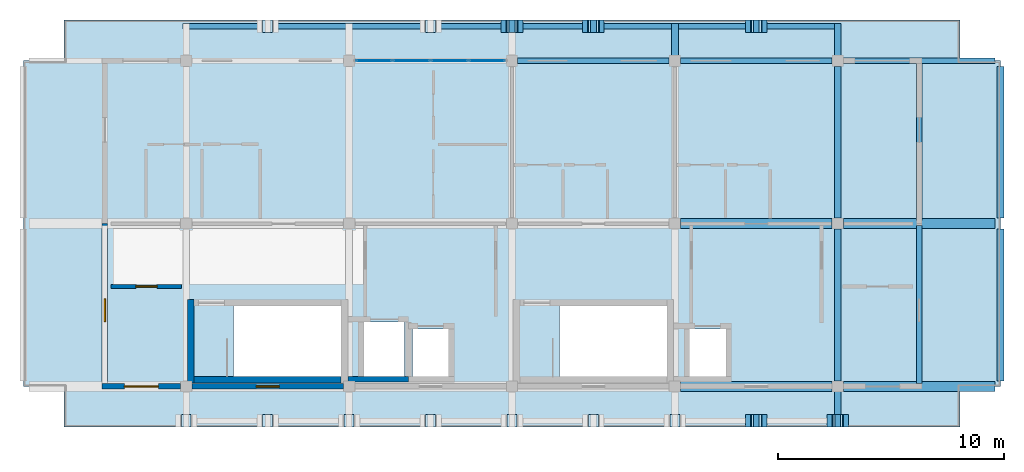
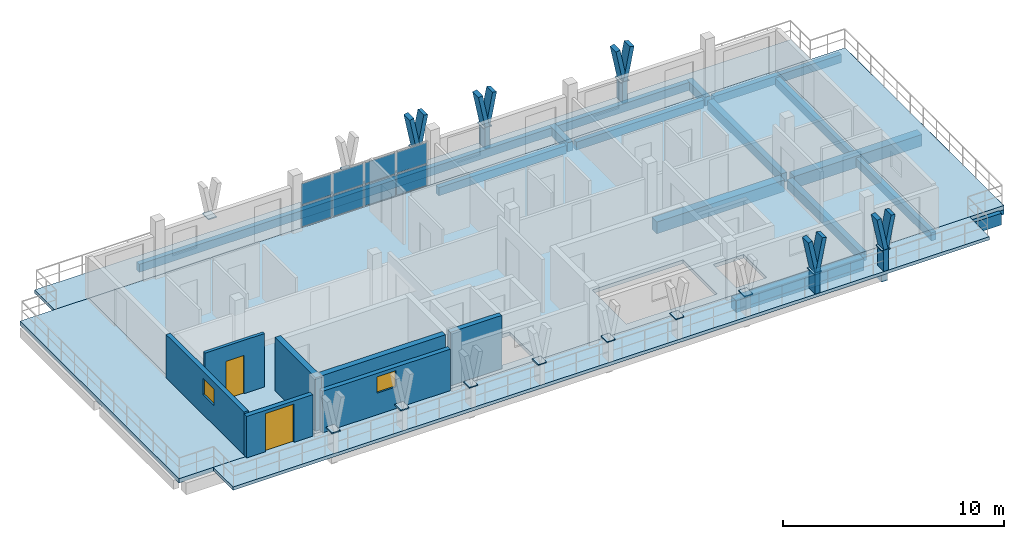
# One storey, part 3 of 7: 22 plates, 17 beams, 15 members, 7 walls, 5 slabs, 2 doors, 2 windows, 4 openings, 1 element without a shape of its own.
"""IFC4 building model written with IfcOpenShell, lengths in metres."""

from ifc_helpers import new_model, si_unit, direction, frame, frame_2d, origin, origin_2d, place, context, subcontext, project, spatial, polyline, rectangle, outline, extrude, material, layer, layer_set, material_profile, profile_set, type_object, element, fill, aggregate, save


model = new_model("IFC4")

# Units and contexts
model_context = context("Model", 3, precision=1e-05, world=origin(), true_north=direction((0.0, 1.0)))
body_context = subcontext(model_context, "Body", "Model", "MODEL_VIEW")
ifc_project = project(units=[si_unit("LENGTHUNIT", "METRE"), si_unit("AREAUNIT", "SQUARE_METRE"), si_unit("VOLUMEUNIT", "CUBIC_METRE"), si_unit("PLANEANGLEUNIT", "RADIAN"), si_unit("MASSUNIT", "GRAM", prefix="KILO")], contexts=[model_context])

# Site, building, storey
site_placement = place(None, origin())
site = spatial("IfcSite", under=ifc_project, at=site_placement, CompositionType="ELEMENT")
building_placement = place(site_placement, origin())
building = spatial("IfcBuilding", under=site, at=building_placement, Name="Suanplinth Sawtooth Commons", CompositionType="ELEMENT")
storey_placement = place(building_placement, frame((0.0, 0.0, 50.89990234375)))
storey = spatial("IfcBuildingStorey", under=building, at=storey_placement, Name="L15", CompositionType="ELEMENT", Elevation=50.89990234375)

# Beams
ifc_material_1 = material(Name="Precast concrete C40/50", Category="concrete")
ifc_material_profile_1 = material_profile(ifc_material_1, rectangle(XDim=0.449951171875, YDim=0.64990234375, at=origin_2d()), Name="PC-GDR 450x650")
ifc_profile_set_1 = profile_set([ifc_material_profile_1], Name="Precast concrete C40/50")
beam_type_1 = type_object("IfcBeamType", Name="B-04", PredefinedType="USERDEFINED", material=ifc_profile_set_1)
for number, where, z_axis, x_axis, name in (
    (1, (65.050048828125, 108.0, -0.52490234375), (1.0, 0.0, 0.0), (0.0, 1.0, 0.0), "BMX-L15-A-9-15"),
    (2, (65.050048828125, 115.199951171875, -0.52490234375), (1.0, 0.0, 0.0), (0.0, 1.0, 0.0), "BMX-L15-A-9-16"),
    (3, (72.25, 108.0, -0.52490234375), (1.0, 0.0, 0.0), (0.0, 1.0, 0.0), "BMX-L15-A-10-15"),
    (4, (72.25, 115.199951171875, -0.52490234375), (1.0, 0.0, 0.0), (0.0, 1.0, 0.0), "BMX-L15-A-10-16"),
):
    element("IfcBeam", number, at=place(storey_placement, frame(where, z_axis=z_axis, x_axis=x_axis)), inside=storey, type_object=beam_type_1, Name=name, ObjectType="GIRDER", PredefinedType="USERDEFINED", context=body_context, shape_type="SweptSolid", body=[
        extrude(rectangle(XDim=0.449951171875, YDim=0.64990234375, at=origin_2d()), origin(), (0.0, 0.0, 1.0), 6.699951171875),
    ])
ifc_material_profile_2 = material_profile(ifc_material_1, rectangle(XDim=0.300048828125, YDim=0.5, at=origin_2d()), Name="PC-BM 300x500")
ifc_profile_set_2 = profile_set([ifc_material_profile_2], Name="Precast concrete C40/50")
beam_type_2 = type_object("IfcBeamType", Name="B-07", PredefinedType="BEAM", material=ifc_profile_set_2)
for number, where, z_axis, x_axis, name in (
    (5, (72.0, 108.25, -0.449951171875), (0.0, 1.0, 0.0), (-1.0, 0.0, 0.0), "BMY-L15-A-10-15"),
    (6, (72.0, 115.449951171875, -0.449951171875), (0.0, 1.0, 0.0), (-1.0, 0.0, 0.0), "BMY-L15-A-10-16"),
    (7, (79.199951171875, 108.25, -0.449951171875), (0.0, 1.0, 0.0), (-1.0, 0.0, 0.0), "BMY-L15-A-11-15"),
    (8, (79.199951171875, 115.449951171875, -0.449951171875), (0.0, 1.0, 0.0), (-1.0, 0.0, 0.0), "BMY-L15-A-11-16"),
):
    element("IfcBeam", number, at=place(storey_placement, frame(where, z_axis=z_axis, x_axis=x_axis)), inside=storey, type_object=beam_type_2, Name=name, PredefinedType="BEAM", context=body_context, shape_type="SweptSolid", body=[
        extrude(rectangle(XDim=0.300048828125, YDim=0.5, at=origin_2d()), origin(), (0.0, 0.0, 1.0), 6.699951171875),
    ])
for number, where, z_axis, x_axis, name in (
    (9, (64.800048828125, 122.39990234375, -0.429931640625), (0.0, 1.0, 0.0), (-1.0, 0.0, 0.0), "Balcony Outrigger L15-A-N-9"),
    (10, (72.0, 122.39990234375, -0.429931640625), (0.0, 1.0, 0.0), (-1.0, 0.0, 0.0), "Balcony Outrigger L15-A-N-10"),
):
    element("IfcBeam", number, at=place(storey_placement, frame(where, z_axis=z_axis, x_axis=x_axis)), inside=storey, type_object=beam_type_2, Name=name, PredefinedType="BEAM", context=body_context, shape_type="SweptSolid", body=[
        extrude(rectangle(XDim=0.300048828125, YDim=0.5, at=origin_2d()), origin(), (0.0, 0.0, 1.0), 1.64013671875),
    ])
beam_1_placement = place(storey_placement, frame((72.0, 108.0, -0.429931640625), z_axis=(0.0, -1.0, 0.0), x_axis=(1.0, 0.0, 0.0)))
element("IfcBeam", 11, at=beam_1_placement, inside=storey, type_object=beam_type_2, Name="Balcony Outrigger L15-A-S-10", PredefinedType="BEAM", context=body_context, shape_type="SweptSolid", body=[
    extrude(rectangle(XDim=0.300048828125, YDim=0.5, at=origin_2d()), origin(), (0.0, 0.0, 1.0), 1.639892578125),
])
ifc_material_profile_3 = material_profile(ifc_material_1, rectangle(XDim=0.25, YDim=0.449951171875, at=origin_2d()), Name="PC-SP 250x450")
ifc_profile_set_3 = profile_set([ifc_material_profile_3], Name="Precast concrete C40/50")
beam_type_3 = type_object("IfcBeamType", Name="B-09", PredefinedType="SPANDREL", material=ifc_profile_set_3)
for number, where, z_axis, x_axis, name in (
    (12, (57.85009765625, 122.39990234375, -0.4248046875), (1.0, 0.0, 0.0), (0.0, 1.0, 0.0), "BMX-L15-A-8-17"),
    (13, (65.050048828125, 122.39990234375, -0.4248046875), (1.0, 0.0, 0.0), (0.0, 1.0, 0.0), "BMX-L15-A-9-17"),
    (14, (72.25, 122.39990234375, -0.4248046875), (1.0, 0.0, 0.0), (0.0, 1.0, 0.0), "BMX-L15-A-10-17"),
):
    element("IfcBeam", number, at=place(storey_placement, frame(where, z_axis=z_axis, x_axis=x_axis)), inside=storey, type_object=beam_type_3, Name=name, PredefinedType="SPANDREL", context=body_context, shape_type="SweptSolid", body=[
        extrude(rectangle(XDim=0.25, YDim=0.449951171875, at=origin_2d()), origin(), (0.0, 0.0, 1.0), 6.699951171875),
    ])
beam_2_placement = place(storey_placement, frame((75.60009765625, 108.139892578125, -0.52490234375), z_axis=(0.0, 1.0, 0.0), x_axis=(-1.0, 0.0, 0.0)))
element("IfcBeam", 15, at=beam_2_placement, inside=storey, type_object=beam_type_3, Name="BMY-L15-A-STEP-756-15", PredefinedType="SPANDREL", context=body_context, shape_type="SweptSolid", body=[
    extrude(rectangle(XDim=0.25, YDim=0.449951171875, at=origin_2d()), origin(), (0.0, 0.0, 1.0), 6.980224609375),
])
beam_3_placement = place(storey_placement, frame((75.60009765625, 115.340087890625, -0.52490234375), z_axis=(0.0, 1.0, 0.0), x_axis=(-1.0, 0.0, 0.0)))
element("IfcBeam", 16, at=beam_3_placement, inside=storey, type_object=beam_type_3, Name="BMY-L15-A-STEP-756-16", PredefinedType="SPANDREL", context=body_context, shape_type="SweptSolid", body=[
    extrude(rectangle(XDim=0.25, YDim=0.449951171875, at=origin_2d()), origin(), (0.0, 0.0, 1.0), 6.97998046875),
])
beam_4_placement = place(storey_placement, frame((43.050048828125, 123.919921875, -0.40478515625), z_axis=(1.0, 0.0, 0.0), x_axis=(0.0, 1.0, 0.0)))
element("IfcBeam", 17, at=beam_4_placement, inside=storey, type_object=beam_type_3, Name="Balcony Edge Fascia L15-A-N", PredefinedType="SPANDREL", context=body_context, shape_type="SweptSolid", body=[
    extrude(rectangle(XDim=0.25, YDim=0.449951171875, at=origin_2d()), origin(), (0.0, 0.0, 1.0), 29.099853515625),
])

# Members
ifc_material_2 = material(Name="Pigmented precast concrete C40/50", Category="concrete")
ifc_material_profile_4 = material_profile(ifc_material_2, rectangle(XDim=0.260009765625, YDim=0.550048828125, at=origin_2d()), Name="PC-FIN 260x550")
ifc_profile_set_4 = profile_set([ifc_material_profile_4], Name="Pigmented precast concrete C40/50")
member_type_1 = type_object("IfcMemberType", Name="M-09", PredefinedType="USERDEFINED", material=ifc_profile_set_4)
for number, where, z_axis, x_axis, name in (
    (18, (57.60009765625, 123.919921875, 0.0), (0.0, 0.0, 1.0), (1.0, 0.0, 0.0), "Y-Blade Stem L15-A-N-03"),
    (19, (61.199951171875, 123.919921875, 0.0), (0.0, 0.0, 1.0), (1.0, 0.0, 0.0), "Y-Blade Stem L15-A-N-04"),
    (20, (68.39990234375, 123.919921875, 0.0), (0.0, 0.0, 1.0), (1.0, 0.0, 0.0), "Y-Blade Stem L15-A-N-05"),
    (21, (68.39990234375, 106.47998046875, 0.0), (0.0, 0.0, 1.0), (1.0, 0.0, 0.0), "Y-Blade Stem L15-A-S-13"),
    (22, (72.0, 106.47998046875, 0.0), (0.0, 0.0, 1.0), (1.0, 0.0, 0.0), "Y-Blade Stem L15-A-S-14"),
):
    element("IfcMember", number, at=place(storey_placement, frame(where, z_axis=z_axis, x_axis=x_axis)), inside=storey, type_object=member_type_1, Name=name, ObjectType="SHADING FIN", PredefinedType="USERDEFINED", context=body_context, shape_type="SweptSolid", body=[
        extrude(rectangle(XDim=0.260009765625, YDim=0.550048828125, at=origin_2d()), origin(), (0.0, 0.0, 1.0), 1.170166015625),
    ])
ifc_material_profile_5 = material_profile(ifc_material_2, rectangle(XDim=0.219970703125, YDim=0.550048828125, at=origin_2d()), Name="PC-FIN 220x550")
ifc_profile_set_5 = profile_set([ifc_material_profile_5], Name="Pigmented precast concrete C40/50")
member_type_2 = type_object("IfcMemberType", Name="M-10", PredefinedType="USERDEFINED", material=ifc_profile_set_5)
member_1_placement = place(storey_placement, frame((57.60009765625, 123.919921875, 1.130126953125), z_axis=(-0.196316280189, 0.0, 0.980540625437), x_axis=(0.980540625437, 0.0, 0.196316280189)))
element("IfcMember", 23, at=member_1_placement, inside=storey, type_object=member_type_2, Name="Y-Blade Arm L L15-A-N-03", ObjectType="SHADING FIN", PredefinedType="USERDEFINED", context=body_context, shape_type="SweptSolid", body=[
    extrude(rectangle(XDim=0.219970703125, YDim=0.550048828125, at=origin_2d()), origin(), (0.0, 0.0, 1.0), 1.876708984375),
])
for number, where, z_axis, x_axis, name in (
    (24, (57.60009765625, 123.919921875, 1.130126953125), (0.196191192406, 0.0, 0.98056566125), (-0.98056566125, 0.0, 0.196191192406), "Y-Blade Arm R L15-A-N-03"),
    (25, (61.199951171875, 123.919921875, 1.130126953125), (-0.196191192406, 0.0, 0.98056566125), (0.98056566125, 0.0, 0.196191192406), "Y-Blade Arm L L15-A-N-04"),
    (26, (61.199951171875, 123.919921875, 1.130126953125), (0.196191192406, 0.0, 0.98056566125), (-0.98056566125, 0.0, 0.196191192406), "Y-Blade Arm R L15-A-N-04"),
    (27, (68.39990234375, 123.919921875, 1.130126953125), (-0.196191192406, 0.0, 0.98056566125), (0.98056566125, 0.0, 0.196191192406), "Y-Blade Arm L L15-A-N-05"),
):
    element("IfcMember", number, at=place(storey_placement, frame(where, z_axis=z_axis, x_axis=x_axis)), inside=storey, type_object=member_type_2, Name=name, ObjectType="SHADING FIN", PredefinedType="USERDEFINED", context=body_context, shape_type="SweptSolid", body=[
        extrude(rectangle(XDim=0.219970703125, YDim=0.550048828125, at=origin_2d()), origin(), (0.0, 0.0, 1.0), 1.87646484375),
    ])
member_2_placement = place(storey_placement, frame((68.39990234375, 123.919921875, 1.130126953125), z_axis=(0.196316280189, 0.0, 0.980540625437), x_axis=(-0.980540625437, 0.0, 0.196316280189)))
element("IfcMember", 28, at=member_2_placement, inside=storey, type_object=member_type_2, Name="Y-Blade Arm R L15-A-N-05", ObjectType="SHADING FIN", PredefinedType="USERDEFINED", context=body_context, shape_type="SweptSolid", body=[
    extrude(rectangle(XDim=0.219970703125, YDim=0.550048828125, at=origin_2d()), origin(), (0.0, 0.0, 1.0), 1.876708984375),
])
member_3_placement = place(storey_placement, frame((68.39990234375, 106.47998046875, 1.130126953125), z_axis=(-0.196191192406, 0.0, 0.98056566125), x_axis=(0.98056566125, 0.0, 0.196191192406)))
element("IfcMember", 29, at=member_3_placement, inside=storey, type_object=member_type_2, Name="Y-Blade Arm L L15-A-S-13", ObjectType="SHADING FIN", PredefinedType="USERDEFINED", context=body_context, shape_type="SweptSolid", body=[
    extrude(rectangle(XDim=0.219970703125, YDim=0.550048828125, at=origin_2d()), origin(), (0.0, 0.0, 1.0), 1.87646484375),
])
member_4_placement = place(storey_placement, frame((68.39990234375, 106.47998046875, 1.130126953125), z_axis=(0.196316280189, 0.0, 0.980540625437), x_axis=(-0.980540625437, 0.0, 0.196316280189)))
element("IfcMember", 30, at=member_4_placement, inside=storey, type_object=member_type_2, Name="Y-Blade Arm R L15-A-S-13", ObjectType="SHADING FIN", PredefinedType="USERDEFINED", context=body_context, shape_type="SweptSolid", body=[
    extrude(rectangle(XDim=0.219970703125, YDim=0.550048828125, at=origin_2d()), origin(), (0.0, 0.0, 1.0), 1.876708984375),
])
for number, where, z_axis, x_axis, name in (
    (31, (72.0, 106.47998046875, 1.130126953125), (-0.196191192406, 0.0, 0.98056566125), (0.98056566125, 0.0, 0.196191192406), "Y-Blade Arm L L15-A-S-14"),
    (32, (72.0, 106.47998046875, 1.130126953125), (0.196191192406, 0.0, 0.98056566125), (-0.98056566125, 0.0, 0.196191192406), "Y-Blade Arm R L15-A-S-14"),
):
    element("IfcMember", number, at=place(storey_placement, frame(where, z_axis=z_axis, x_axis=x_axis)), inside=storey, type_object=member_type_2, Name=name, ObjectType="SHADING FIN", PredefinedType="USERDEFINED", context=body_context, shape_type="SweptSolid", body=[
        extrude(rectangle(XDim=0.219970703125, YDim=0.550048828125, at=origin_2d()), origin(), (0.0, 0.0, 1.0), 1.87646484375),
    ])

# Plates
ifc_layer_1 = layer(ifc_material_2, 0.06005859375, Name="Precast Y-blade bifurcation node plate 60mm")
ifc_layer_set_1 = layer_set([ifc_layer_1], Name="Pigmented precast concrete C40/50")
plate_type_1 = type_object("IfcPlateType", Name="PL-04", PredefinedType="USERDEFINED", material=ifc_layer_set_1)
for number, where, z_axis, x_axis, name in (
    (33, (46.800048828125, 123.919921875, 1.1201171875), (0.0, 0.0, 1.0), (1.0, 0.0, 0.0), "Y-Blade Node Plate L15-A-N-01"),
    (34, (54.0, 123.919921875, 1.1201171875), (0.0, 0.0, 1.0), (1.0, 0.0, 0.0), "Y-Blade Node Plate L15-A-N-02"),
    (35, (57.60009765625, 123.919921875, 1.1201171875), (0.0, 0.0, 1.0), (1.0, 0.0, 0.0), "Y-Blade Node Plate L15-A-N-03"),
    (36, (61.199951171875, 123.919921875, 1.1201171875), (0.0, 0.0, 1.0), (1.0, 0.0, 0.0), "Y-Blade Node Plate L15-A-N-04"),
    (37, (68.39990234375, 123.919921875, 1.1201171875), (0.0, 0.0, 1.0), (1.0, 0.0, 0.0), "Y-Blade Node Plate L15-A-N-05"),
    (38, (43.199951171875, 106.47998046875, 1.1201171875), (0.0, 0.0, 1.0), (1.0, 0.0, 0.0), "Y-Blade Node Plate L15-A-S-06"),
    (39, (46.800048828125, 106.47998046875, 1.1201171875), (0.0, 0.0, 1.0), (1.0, 0.0, 0.0), "Y-Blade Node Plate L15-A-S-07"),
    (40, (50.39990234375, 106.47998046875, 1.1201171875), (0.0, 0.0, 1.0), (1.0, 0.0, 0.0), "Y-Blade Node Plate L15-A-S-08"),
    (41, (54.0, 106.47998046875, 1.1201171875), (0.0, 0.0, 1.0), (1.0, 0.0, 0.0), "Y-Blade Node Plate L15-A-S-09"),
    (42, (57.60009765625, 106.47998046875, 1.1201171875), (0.0, 0.0, 1.0), (1.0, 0.0, 0.0), "Y-Blade Node Plate L15-A-S-10"),
    (43, (61.199951171875, 106.47998046875, 1.1201171875), (0.0, 0.0, 1.0), (1.0, 0.0, 0.0), "Y-Blade Node Plate L15-A-S-11"),
    (44, (64.800048828125, 106.47998046875, 1.1201171875), (0.0, 0.0, 1.0), (1.0, 0.0, 0.0), "Y-Blade Node Plate L15-A-S-12"),
    (45, (68.39990234375, 106.47998046875, 1.1201171875), (0.0, 0.0, 1.0), (1.0, 0.0, 0.0), "Y-Blade Node Plate L15-A-S-13"),
    (46, (72.0, 106.47998046875, 1.1201171875), (0.0, 0.0, 1.0), (1.0, 0.0, 0.0), "Y-Blade Node Plate L15-A-S-14"),
):
    element("IfcPlate", number, at=place(storey_placement, frame(where, z_axis=z_axis, x_axis=x_axis)), inside=storey, type_object=plate_type_1, Name=name, ObjectType="GUSSET PLATE", PredefinedType="USERDEFINED", context=body_context, shape_type="SweptSolid", body=[
        extrude(rectangle(XDim=0.43994140625, YDim=0.550048828125, at=origin_2d()), origin(), (0.0, 0.0, 1.0), 0.06005859375),
    ])

# Curtain wall, plates
ifc_material_3 = material(Name="Anodized aluminium and low-E glazing", Category="aluminium")
curtain_wall_type = type_object("IfcCurtainWallType", Name="CW-06", PredefinedType="USERDEFINED", material=ifc_material_3)
curtain_wall_placement = place(storey_placement, origin())
curtain_wall = element("IfcCurtainWall", 47, at=curtain_wall_placement, inside=storey, type_object=curtain_wall_type, Name="Curtain Wall CW-L15-A-LOUNGE-2", ObjectType="CURTAIN WALL", PredefinedType="USERDEFINED")
ifc_material_4 = material(Name="Tempered low-E double glazing", Category="glass")
ifc_layer_2 = layer(ifc_material_4, 0.028076171875, Name="Vision low-E insulated glazing unit 28mm")
ifc_layer_set_2 = layer_set([ifc_layer_2], Name="Tempered low-E double glazing")
plate_type_2 = type_object("IfcPlateType", Name="PL-05", PredefinedType="CURTAIN_PANEL", material=ifc_layer_set_2)
plate_1_placement = place(storey_placement, frame((51.503662109375, 122.39990234375, 0.06494140625), z_axis=(0.0, 0.0, 1.0), x_axis=(1.0, 0.0, 0.0)))
plate_1 = element("IfcPlate", 48, at=plate_1_placement, type_object=plate_type_2, Name="CW-06 panel 1.1", PredefinedType="CURTAIN_PANEL", context=body_context, shape_type="SweptSolid", body=[
    extrude(rectangle(XDim=1.577392578125, YDim=0.028076171875, at=origin_2d()), origin(), (0.0, 0.0, 1.0), 1.157470703125),
])
plate_2_placement = place(storey_placement, frame((51.503662109375, 122.39990234375, 1.28759765625), z_axis=(0.0, 0.0, 1.0), x_axis=(1.0, 0.0, 0.0)))
plate_2 = element("IfcPlate", 49, at=plate_2_placement, type_object=plate_type_2, Name="CW-06 panel 1.2", PredefinedType="CURTAIN_PANEL", context=body_context, shape_type="SweptSolid", body=[
    extrude(rectangle(XDim=1.577392578125, YDim=0.028076171875, at=origin_2d()), origin(), (0.0, 0.0, 1.0), 1.157470703125),
])
plate_3_placement = place(storey_placement, frame((53.16259765625, 122.39990234375, 0.06494140625), z_axis=(0.0, 0.0, 1.0), x_axis=(1.0, 0.0, 0.0)))
plate_3 = element("IfcPlate", 50, at=plate_3_placement, type_object=plate_type_2, Name="CW-06 panel 2.1", PredefinedType="CURTAIN_PANEL", context=body_context, shape_type="SweptSolid", body=[
    extrude(rectangle(XDim=1.610107421875, YDim=0.028076171875, at=origin_2d()), origin(), (0.0, 0.0, 1.0), 1.157470703125),
])
plate_4_placement = place(storey_placement, frame((53.16259765625, 122.39990234375, 1.28759765625), z_axis=(0.0, 0.0, 1.0), x_axis=(1.0, 0.0, 0.0)))
plate_4 = element("IfcPlate", 51, at=plate_4_placement, type_object=plate_type_2, Name="CW-06 panel 2.2", PredefinedType="CURTAIN_PANEL", context=body_context, shape_type="SweptSolid", body=[
    extrude(rectangle(XDim=1.610107421875, YDim=0.028076171875, at=origin_2d()), origin(), (0.0, 0.0, 1.0), 1.157470703125),
])
plate_5_placement = place(storey_placement, frame((54.83740234375, 122.39990234375, 0.06494140625), z_axis=(0.0, 0.0, 1.0), x_axis=(1.0, 0.0, 0.0)))
plate_5 = element("IfcPlate", 52, at=plate_5_placement, type_object=plate_type_2, Name="CW-06 panel 3.1", PredefinedType="CURTAIN_PANEL", context=body_context, shape_type="SweptSolid", body=[
    extrude(rectangle(XDim=1.610107421875, YDim=0.028076171875, at=origin_2d()), origin(), (0.0, 0.0, 1.0), 1.157470703125),
])
plate_6_placement = place(storey_placement, frame((54.83740234375, 122.39990234375, 1.28759765625), z_axis=(0.0, 0.0, 1.0), x_axis=(1.0, 0.0, 0.0)))
plate_6 = element("IfcPlate", 53, at=plate_6_placement, type_object=plate_type_2, Name="CW-06 panel 3.2", PredefinedType="CURTAIN_PANEL", context=body_context, shape_type="SweptSolid", body=[
    extrude(rectangle(XDim=1.610107421875, YDim=0.028076171875, at=origin_2d()), origin(), (0.0, 0.0, 1.0), 1.157470703125),
])
plate_7_placement = place(storey_placement, frame((56.496337890625, 122.39990234375, 0.06494140625), z_axis=(0.0, 0.0, 1.0), x_axis=(1.0, 0.0, 0.0)))
plate_7 = element("IfcPlate", 54, at=plate_7_placement, type_object=plate_type_2, Name="CW-06 panel 4.1", PredefinedType="CURTAIN_PANEL", context=body_context, shape_type="SweptSolid", body=[
    extrude(rectangle(XDim=1.577392578125, YDim=0.028076171875, at=origin_2d()), origin(), (0.0, 0.0, 1.0), 1.157470703125),
])
plate_8_placement = place(storey_placement, frame((56.496337890625, 122.39990234375, 1.28759765625), z_axis=(0.0, 0.0, 1.0), x_axis=(1.0, 0.0, 0.0)))
plate_8 = element("IfcPlate", 55, at=plate_8_placement, type_object=plate_type_2, Name="CW-06 panel 4.2", PredefinedType="CURTAIN_PANEL", context=body_context, shape_type="SweptSolid", body=[
    extrude(rectangle(XDim=1.577392578125, YDim=0.028076171875, at=origin_2d()), origin(), (0.0, 0.0, 1.0), 1.157470703125),
])
aggregate(curtain_wall, [plate_1, plate_2, plate_3, plate_4, plate_5, plate_6, plate_7, plate_8])

# Slabs
ifc_layer_3 = layer(ifc_material_1, 0.179931640625, Name="Wrap-around cantilevered precast balcony slab 180mm")
ifc_layer_set_3 = layer_set([ifc_layer_3], Name="Precast concrete C40/50")
slab_type_1 = type_object("IfcSlabType", Name="S-BL01", PredefinedType="FLOOR", material=ifc_layer_set_3)
slab_1_placement = place(storey_placement, frame((0.0, 0.0, -0.179931640625)))
element("IfcSlab", 56, at=slab_1_placement, inside=storey, type_object=slab_type_1, Name="L15 Block A Wrap-Around Balcony N", PredefinedType="FLOOR", context=body_context, shape_type="SweptSolid", body=[
    extrude(outline(polyline([(37.800048828125, 124.199951171875), (77.39990234375, 124.199951171875), (77.39990234375, 122.39990234375), (37.800048828125, 122.39990234375), (37.800048828125, 124.199951171875)])), origin(), (0.0, 0.0, 1.0), 0.179931640625),
])
slab_2_placement = place(storey_placement, frame((0.0, 0.0, -0.179931640625)))
element("IfcSlab", 57, at=slab_2_placement, inside=storey, type_object=slab_type_1, Name="L15 Block A Wrap-Around Balcony S", PredefinedType="FLOOR", context=body_context, shape_type="SweptSolid", body=[
    extrude(outline(polyline([(77.39990234375, 106.199951171875), (37.800048828125, 106.199951171875), (37.800048828125, 108.0), (77.39990234375, 108.0), (77.39990234375, 106.199951171875)])), origin(), (0.0, 0.0, 1.0), 0.179931640625),
])
ifc_layer_4 = layer(ifc_material_1, 0.199951171875, Name="Upper precast hollow-core floor slab 200mm")
ifc_layer_set_4 = layer_set([ifc_layer_4], Name="Precast concrete C40/50")
slab_type_2 = type_object("IfcSlabType", Name="S-FL05", PredefinedType="FLOOR", material=ifc_layer_set_4)
slab_3_placement = place(storey_placement, frame((0.0, 0.0, -0.199951171875)))
element("IfcSlab", 58, at=slab_3_placement, inside=storey, type_object=slab_type_2, Name="L15 Block A Structural Floor Plate", PredefinedType="FLOOR", context=body_context, shape_type="SweptSolid", body=[
    extrude(outline(polyline([(39.60009765625, 108.0), (75.60009765625, 108.0), (75.60009765625, 122.39990234375), (39.60009765625, 122.39990234375), (39.60009765625, 108.0)]), holes=[polyline([(45.2900390625, 108.449951171875), (50.050048828125, 108.449951171875), (50.050048828125, 111.550048828125), (45.2900390625, 111.550048828125), (45.2900390625, 108.449951171875)]), polyline([(51.050048828125, 108.449951171875), (52.85009765625, 108.449951171875), (52.85009765625, 110.85009765625), (51.050048828125, 110.85009765625), (51.050048828125, 108.449951171875)]), polyline([(53.199951171875, 108.449951171875), (54.800048828125, 108.449951171875), (54.800048828125, 110.550048828125), (53.199951171875, 110.550048828125), (53.199951171875, 108.449951171875)]), polyline([(59.68994140625, 108.449951171875), (64.449951171875, 108.449951171875), (64.449951171875, 111.550048828125), (59.68994140625, 111.550048828125), (59.68994140625, 108.449951171875)]), polyline([(65.449951171875, 108.449951171875), (67.050048828125, 108.449951171875), (67.050048828125, 110.550048828125), (65.449951171875, 110.550048828125), (65.449951171875, 108.449951171875)])]), origin(), (0.0, 0.0, 1.0), 0.199951171875),
])
ifc_material_5 = material(Name="Concrete C40/50", Category="concrete")
ifc_layer_5 = layer(ifc_material_5, 0.239990234375, Name="Stepped sky-terrace & courtyard garden slab 240mm")
ifc_layer_set_5 = layer_set([ifc_layer_5], Name="Concrete C40/50")
slab_type_3 = type_object("IfcSlabType", Name="S-TR01", PredefinedType="FLOOR", material=ifc_layer_set_5)
slab_4_placement = place(storey_placement, frame((0.0, 0.0, -0.239990234375)))
element("IfcSlab", 59, at=slab_4_placement, inside=storey, type_object=slab_type_3, Name="L15 Block A Stepped Sky-Terrace 1", PredefinedType="FLOOR", context=body_context, shape_type="SweptSolid", body=[
    extrude(outline(polyline([(36.0, 108.0), (36.0, 122.39990234375), (39.60009765625, 122.39990234375), (39.60009765625, 108.0), (36.0, 108.0)])), origin(), (0.0, 0.0, 1.0), 0.239990234375),
])
slab_5_placement = place(storey_placement, frame((0.0, 0.0, -0.239990234375)))
element("IfcSlab", 60, at=slab_5_placement, inside=storey, type_object=slab_type_3, Name="L15 Block A Stepped Sky-Terrace 2", PredefinedType="FLOOR", context=body_context, shape_type="SweptSolid", body=[
    extrude(outline(polyline([(79.199951171875, 122.39990234375), (79.199951171875, 108.0), (75.60009765625, 108.0), (75.60009765625, 122.39990234375), (79.199951171875, 122.39990234375)])), origin(), (0.0, 0.0, 1.0), 0.239990234375),
])

# Walls
ifc_layer_6 = layer(ifc_material_5, 0.300048828125, Name="Standard RC stair and lift core wall 300mm")
ifc_layer_set_6 = layer_set([ifc_layer_6], Name="Concrete C40/50")
wall_type_1 = type_object("IfcWallType", Name="W-CR02", PredefinedType="SHEAR", material=ifc_layer_set_6)
wall_1_placement = place(storey_placement, frame((43.550048828125, 108.300048828125, 0.0), z_axis=(0.0, 0.0, 1.0), x_axis=(1.0, 0.0, 0.0)))
element("IfcWall", 61, at=wall_1_placement, inside=storey, type_object=wall_type_1, Name="W-L15-C-A1-STS", PredefinedType="SHEAR", context=body_context, shape_type="SweptSolid", body=[
    extrude(rectangle(XDim=6.5, YDim=0.300048828125, at=frame_2d((3.25, 0.0))), origin(), (0.0, 0.0, 1.0), 2.960205078125),
])
wall_2_placement = place(storey_placement, frame((43.39990234375, 108.14990234375, 0.0), z_axis=(0.0, 0.0, 1.0), x_axis=(0.0, 1.0, 0.0)))
element("IfcWall", 62, at=wall_2_placement, inside=storey, type_object=wall_type_1, Name="W-L15-C-A1-STW", PredefinedType="SHEAR", context=body_context, shape_type="SweptSolid", body=[
    extrude(rectangle(XDim=3.7001953125, YDim=0.300048828125, at=frame_2d((1.85009765625, 0.0))), origin(), (0.0, 0.0, 1.0), 2.960205078125),
])

# Wall, opening, door
ifc_layer_7 = layer(ifc_material_1, 0.239990234375, Name="Upper insulated precast facade wall 240mm")
ifc_layer_set_7 = layer_set([ifc_layer_7], Name="Precast concrete C40/50")
wall_type_2 = type_object("IfcWallType", Name="W-EX03", PredefinedType="ELEMENTEDWALL", material=ifc_layer_set_7)
wall_3_placement = place(storey_placement, frame((39.47998046875, 108.0, 0.0), z_axis=(0.0, 0.0, 1.0), x_axis=(1.0, 0.0, 0.0)))
wall_3 = element("IfcWall", 63, at=wall_3_placement, inside=storey, type_object=wall_type_2, Name="Courtyard Wall W-L15-A-S-0", PredefinedType="ELEMENTEDWALL", context=body_context, shape_type="SweptSolid", body=[
    extrude(rectangle(XDim=3.469970703125, YDim=0.239990234375, at=frame_2d((1.73486328125, 0.0))), origin(), (0.0, 0.0, 1.0), 2.295166015625),
])
opening_1_placement = place(wall_3_placement, frame((0.985107421875, 0.0, 0.0)))
opening_1 = element("IfcOpeningElement", 64, at=opening_1_placement, cuts=wall_3, Name="Opening ED0855", PredefinedType="OPENING", context=body_context, shape_type="SweptSolid", body=[
    extrude(rectangle(XDim=1.5, YDim=2.1201171875, at=frame_2d((0.75, 1.06005859375))), frame((0.0, 0.134765625, 0.0), z_axis=(0.0, -1.0, 0.0), x_axis=(1.0, 0.0, 0.0)), (0.0, 0.0, 1.0), 0.269775390625),
])
ifc_material_6 = material(Name="Anodized aluminium and low-E glass", Category="aluminium")
door_type_1 = type_object("IfcDoorType", Name="SD-03", OperationType="SLIDING_TO_LEFT", PredefinedType="DOOR", material=ifc_material_6)
door_1_placement = place(opening_1_placement, frame((1.5, 0.0, 0.0), z_axis=(0.0, 0.0, 1.0), x_axis=(-1.0, 0.0, 0.0)))
door_1 = element("IfcDoor", 65, at=door_1_placement, inside=storey, type_object=door_type_1, Name="Courtyard Balcony Sliding Door L15-A-S-0", OperationType="SLIDING_TO_LEFT", OverallHeight=2.1201171875, OverallWidth=1.5, PredefinedType="DOOR", context=body_context, shape_type="SweptSolid", body=[
    extrude(rectangle(XDim=1.5, YDim=2.1201171875, at=frame_2d((0.75, 1.06005859375))), frame((0.0, 0.02490234375, 0.0), z_axis=(0.0, -1.0, 0.0), x_axis=(1.0, 0.0, 0.0)), (0.0, 0.0, 1.0), 0.050048828125),
])
fill(opening_1, door_1)

# Wall, opening, window
wall_4_placement = place(storey_placement, frame((43.449951171875, 108.0, 0.0), z_axis=(0.0, 0.0, 1.0), x_axis=(1.0, 0.0, 0.0)))
wall_4 = element("IfcWall", 66, at=wall_4_placement, inside=storey, type_object=wall_type_2, Name="Courtyard Wall W-L15-A-S-1", PredefinedType="ELEMENTEDWALL", context=body_context, shape_type="SweptSolid", body=[
    extrude(rectangle(XDim=6.699951171875, YDim=0.239990234375, at=frame_2d((3.35009765625, 0.0))), origin(), (0.0, 0.0, 1.0), 2.295166015625),
])
opening_2_placement = place(wall_4_placement, frame((2.85009765625, 0.0, 1.199951171875)))
opening_2 = element("IfcOpeningElement", 67, at=opening_2_placement, cuts=wall_4, Name="Opening W0939", PredefinedType="OPENING", context=body_context, shape_type="SweptSolid", body=[
    extrude(rectangle(XDim=1.0, YDim=0.89990234375, at=frame_2d((0.5, 0.449951171875))), frame((0.0, 0.134765625, 0.0), z_axis=(0.0, -1.0, 0.0), x_axis=(1.0, 0.0, 0.0)), (0.0, 0.0, 1.0), 0.269775390625),
])
ifc_material_7 = material(Name="Thermally broken aluminium and low-E double glazing", Category="aluminium")
window_type = type_object("IfcWindowType", Name="WN-12", PartitioningType="SINGLE_PANEL", PredefinedType="WINDOW", material=ifc_material_7)
window_1_placement = place(opening_2_placement, origin())
window_1 = element("IfcWindow", 68, at=window_1_placement, inside=storey, type_object=window_type, Name="Core Daylight Window L15-A-1", OverallHeight=0.89990234375, OverallWidth=1.0, PartitioningType="SINGLE_PANEL", PredefinedType="WINDOW", context=body_context, shape_type="SweptSolid", body=[
    extrude(rectangle(XDim=1.0, YDim=0.89990234375, at=frame_2d((0.5, 0.449951171875))), frame((0.0, 0.030029296875, 0.0), z_axis=(0.0, -1.0, 0.0), x_axis=(1.0, 0.0, 0.0)), (0.0, 0.0, 1.0), 0.06005859375),
])
fill(opening_2, window_1)

ifc_layer_8 = layer(ifc_material_1, 0.22998046875, Name="Stepped terrace insulated precast wall 230mm")
ifc_layer_set_8 = layer_set([ifc_layer_8], Name="Precast concrete C40/50")
wall_type_3 = type_object("IfcWallType", Name="W-EX06", PredefinedType="ELEMENTEDWALL", material=ifc_layer_set_8)
wall_5_placement = place(storey_placement, frame((39.60009765625, 108.1201171875, 0.0), z_axis=(0.0, 0.0, 1.0), x_axis=(0.0, 1.0, 0.0)))
wall_5 = element("IfcWall", 69, at=wall_5_placement, inside=storey, type_object=wall_type_3, Name="End Wall W-L15-A-W-15", PredefinedType="ELEMENTEDWALL", context=body_context, shape_type="SweptSolid", body=[
    extrude(rectangle(XDim=7.079833984375, YDim=0.22998046875, at=frame_2d((3.5400390625, 0.0))), origin(), (0.0, 0.0, 1.0), 2.39501953125),
])
opening_3_placement = place(wall_5_placement, frame((2.75, 0.0, 1.10009765625)))
opening_3 = element("IfcOpeningElement", 70, at=opening_3_placement, cuts=wall_5, Name="Opening W0945", PredefinedType="OPENING", context=body_context, shape_type="SweptSolid", body=[
    extrude(rectangle(XDim=1.0, YDim=0.89990234375, at=frame_2d((0.5, 0.449951171875))), frame((0.0, 0.1298828125, 0.0), z_axis=(0.0, -1.0, 0.0), x_axis=(1.0, 0.0, 0.0)), (0.0, 0.0, 1.0), 0.259765625),
])
window_2_placement = place(opening_3_placement, origin())
window_2 = element("IfcWindow", 71, at=window_2_placement, inside=storey, type_object=window_type, Name="End Window L15-A-W-15", OverallHeight=0.89990234375, OverallWidth=1.0, PartitioningType="SINGLE_PANEL", PredefinedType="WINDOW", context=body_context, shape_type="SweptSolid", body=[
    extrude(rectangle(XDim=1.0, YDim=0.89990234375, at=frame_2d((0.5, 0.449951171875))), frame((0.0, 0.030029296875, 0.0), z_axis=(0.0, -1.0, 0.0), x_axis=(1.0, 0.0, 0.0)), (0.0, 0.0, 1.0), 0.06005859375),
])
fill(opening_3, window_2)

# Wall, opening, door
ifc_layer_9 = layer(ifc_material_1, 0.159912109375, Name="Fire-rated corridor and lobby wall 160mm")
ifc_layer_set_9 = layer_set([ifc_layer_9], Name="Precast concrete C40/50")
wall_type_4 = type_object("IfcWallType", Name="W-FW01", PredefinedType="PARTITIONING", material=ifc_layer_set_9)
wall_6_placement = place(storey_placement, frame((39.8798828125, 112.419921875, 0.0), z_axis=(0.0, 0.0, 1.0), x_axis=(1.0, 0.0, 0.0)))
wall_6 = element("IfcWall", 72, at=wall_6_placement, inside=storey, type_object=wall_type_4, Name="W-A-L15-COURTROOM-3-COR", PredefinedType="PARTITIONING", context=body_context, shape_type="SweptSolid", body=[
    extrude(rectangle(XDim=3.1201171875, YDim=0.159912109375, at=frame_2d((1.56005859375, 0.0))), origin(), (0.0, 0.0, 1.0), 2.960205078125),
])
opening_4_placement = place(wall_6_placement, frame((1.090087890625, 0.0, 0.0)))
opening_4 = element("IfcOpeningElement", 73, at=opening_4_placement, cuts=wall_6, Name="Opening D2085", PredefinedType="OPENING", context=body_context, shape_type="SweptSolid", body=[
    extrude(rectangle(XDim=0.93994140625, YDim=2.1201171875, at=frame_2d((0.469970703125, 1.06005859375))), frame((0.0, 0.0947265625, 0.0), z_axis=(0.0, -1.0, 0.0), x_axis=(1.0, 0.0, 0.0)), (0.0, 0.0, 1.0), 0.189697265625),
])
ifc_material_8 = material(Name="Teak hardwood", Category="wood")
door_type_2 = type_object("IfcDoorType", Name="D-15", OperationType="NOTDEFINED", PredefinedType="DOOR", material=ifc_material_8)
door_2_placement = place(opening_4_placement, frame((0.93994140625, 0.0, 0.0), z_axis=(0.0, 0.0, 1.0), x_axis=(-1.0, 0.0, 0.0)))
door_2 = element("IfcDoor", 74, at=door_2_placement, inside=storey, type_object=door_type_2, Name="Study Studio Door D2085", OperationType="SINGLE_SWING_LEFT", OverallHeight=2.1201171875, OverallWidth=0.93994140625, PredefinedType="DOOR", context=body_context, shape_type="SweptSolid", body=[
    extrude(rectangle(XDim=0.93994140625, YDim=2.1201171875, at=frame_2d((0.469970703125, 1.06005859375))), frame((0.0, 0.02490234375, 0.0), z_axis=(0.0, -1.0, 0.0), x_axis=(1.0, 0.0, 0.0)), (0.0, 0.0, 1.0), 0.050048828125),
])
fill(opening_4, door_2)

# Wall
ifc_layer_10 = layer(ifc_material_1, 0.25, Name="Precast structural shear wall 250mm")
ifc_layer_set_10 = layer_set([ifc_layer_10], Name="Precast concrete C40/50")
wall_type_5 = type_object("IfcWallType", Name="W-SH01", PredefinedType="SHEAR", material=ifc_layer_set_10)
wall_7_placement = place(storey_placement, frame((50.35009765625, 108.324951171875, 0.0), z_axis=(0.0, 0.0, 1.0), x_axis=(1.0, 0.0, 0.0)))
element("IfcWall", 75, at=wall_7_placement, inside=storey, type_object=wall_type_5, Name="W-L15-FL1-S", PredefinedType="SHEAR", context=body_context, shape_type="SweptSolid", body=[
    extrude(rectangle(XDim=2.6748046875, YDim=0.25, at=frame_2d((1.33740234375, 0.0))), origin(), (0.0, 0.0, 1.0), 2.960205078125),
])

save(model, "model.ifc")
